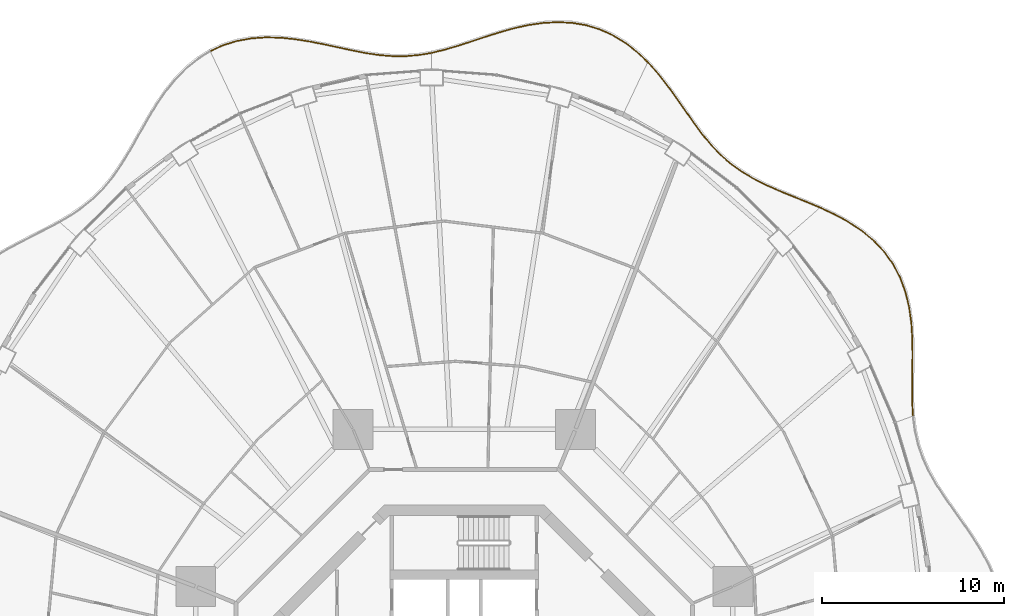
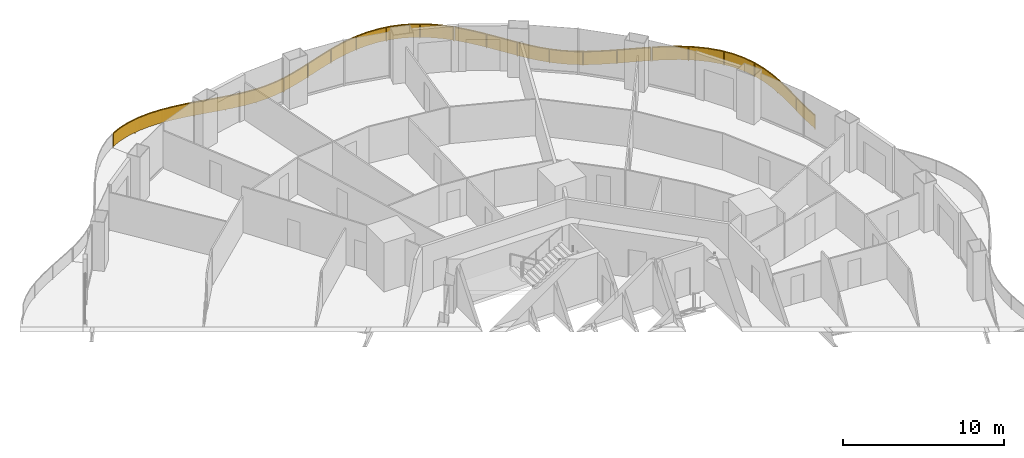
# One storey, part 22 of 22: 4 railings.
"""IFC4 building model written with IfcOpenShell, lengths in metres."""

from ifc_helpers import new_model, si_unit, direction, frame, origin, origin_2d, place, context, subcontext, project, spatial, polyline, rectangle, outline, extrude, material, type_object, element, save


model = new_model("IFC4")

# Units and contexts
model_context = context("Model", 3, precision=1e-05, world=origin(), true_north=direction((0.0, 1.0)))
body_context = subcontext(model_context, "Body", "Model", "MODEL_VIEW")
ifc_project = project(units=[si_unit("LENGTHUNIT", "METRE"), si_unit("AREAUNIT", "SQUARE_METRE"), si_unit("VOLUMEUNIT", "CUBIC_METRE"), si_unit("PLANEANGLEUNIT", "RADIAN"), si_unit("MASSUNIT", "GRAM", prefix="KILO")], contexts=[model_context])

# Site, building, storey
site_placement = place(None, origin())
site = spatial("IfcSite", under=ifc_project, at=site_placement, CompositionType="ELEMENT")
building_placement = place(site_placement, origin())
building = spatial("IfcBuilding", under=site, at=building_placement, Name="Nagisa Residences", CompositionType="ELEMENT")
storey_placement = place(building_placement, frame((0.0, 0.0, 91.800048828125)))
storey = spatial("IfcBuildingStorey", under=building, at=storey_placement, Name="L22", CompositionType="ELEMENT", Elevation=91.800048828125)

# Railings
ifc_material = material(Name="Stainless steel 316", Category="steel")
railing_type = type_object("IfcRailingType", Name="BALCONY GUARD 1100", PredefinedType="BALUSTRADE", material=ifc_material)
railing_1_placement = place(storey_placement, frame((24.6982421875, 15.5458984375, 0.0)))
element("IfcRailing", 1, at=railing_1_placement, inside=storey, type_object=railing_type, Name="guard:L22:bal01-0", PredefinedType="BALUSTRADE", context=body_context, shape_type="SweptSolid", body=[
    extrude(outline(polyline([(-0.066650390625, 0.764404296875), (-0.02490234375, -0.00146484375), (0.02490234375, 0.00146484375), (-0.016845703125, 0.765869140625), (-0.0224609375, 1.601318359375), (-0.009033203125, 2.46142578125), (0.0029296875, 3.339111328125), (-0.009765625, 4.225341796875), (-0.0615234375, 5.0947265625), (-0.184326171875, 5.961669921875), (-0.387939453125, 6.799560546875), (-0.682373046875, 7.595947265625), (-1.07373046875, 8.340087890625), (-1.55419921875, 9.01171875), (-2.133544921875, 9.62841796875), (-2.79443359375, 10.17822265625), (-3.52197265625, 10.66357421875), (-4.298828125, 11.09033203125), (-5.065673828125, 11.4482421875), (-5.086669921875, 11.40283203125), (-4.3212890625, 11.0458984375), (-3.5478515625, 10.62060546875), (-2.82421875, 10.13818359375), (-2.167724609375, 9.591796875), (-1.5927734375, 8.97998046875), (-1.1162109375, 8.313720703125), (-0.728271484375, 7.575439453125), (-0.435791015625, 6.784912109375), (-0.233642578125, 5.952392578125), (-0.111328125, 5.08984375), (-0.0595703125, 4.223388671875), (-0.04736328125, 3.339111328125), (-0.058837890625, 2.4619140625), (-0.07275390625, 1.601318359375), (-0.066650390625, 0.764404296875)])), frame((0.0, 0.0, 1.050048828125)), (0.0, 0.0, 1.0), 0.050048828125),
    extrude(outline(polyline([(-0.048828125, 0.764892578125), (-0.007080078125, -0.00048828125), (0.007080078125, 0.00048828125), (-0.03466796875, 0.765380859375), (-0.04052734375, 1.601318359375), (-0.02685546875, 2.461669921875), (-0.01513671875, 3.339111328125), (-0.027587890625, 4.224609375), (-0.079345703125, 5.093017578125), (-0.2021484375, 5.958251953125), (-0.4052734375, 6.794189453125), (-0.698974609375, 7.588623046875), (-1.089111328125, 8.33056640625), (-1.568115234375, 9.000244140625), (-2.145751953125, 9.615234375), (-2.80517578125, 10.163818359375), (-3.53125, 10.648193359375), (-4.306884765625, 11.074462890625), (-5.0732421875, 11.431884765625), (-5.0791015625, 11.419189453125), (-4.313232421875, 11.061767578125), (-3.53857421875, 10.635986328125), (-2.8134765625, 10.152587890625), (-2.155517578125, 9.60498046875), (-1.578857421875, 8.991455078125), (-1.100830078125, 8.3232421875), (-0.711669921875, 7.582763671875), (-0.41845703125, 6.790283203125), (-0.2158203125, 5.955810546875), (-0.093505859375, 5.091552734375), (-0.041748046875, 4.22412109375), (-0.029296875, 3.339111328125), (-0.041015625, 2.461669921875), (-0.0546875, 1.601318359375), (-0.048828125, 0.764892578125)])), frame((0.0, 0.0, 0.06005859375)), (0.0, 0.0, 1.0), 0.989990234375),
    extrude(rectangle(XDim=0.0400390625, YDim=0.0400390625, at=origin_2d()), origin(), (0.0, 0.0, 1.0), 1.050048828125),
    extrude(rectangle(XDim=0.0400390625, YDim=0.0400390625, at=origin_2d()), frame((-0.036865234375, 2.271484375, 0.0)), (0.0, 0.0, 1.0), 1.050048828125),
    extrude(rectangle(XDim=0.0400390625, YDim=0.0400390625, at=origin_2d()), frame((-0.0537109375, 4.543212890625, 0.0)), (0.0, 0.0, 1.0), 1.050048828125),
    extrude(rectangle(XDim=0.0400390625, YDim=0.0400390625, at=origin_2d()), frame((-0.409423828125, 6.7822265625, 0.0)), (0.0, 0.0, 1.0), 1.050048828125),
    extrude(rectangle(XDim=0.0400390625, YDim=0.0400390625, at=origin_2d()), frame((-1.431884765625, 8.7978515625, 0.0)), (0.0, 0.0, 1.0), 1.050048828125),
    extrude(rectangle(XDim=0.0400390625, YDim=0.0400390625, at=origin_2d()), frame((-3.083251953125, 10.341064453125, 0.0)), (0.0, 0.0, 1.0), 1.050048828125),
    extrude(rectangle(XDim=0.0400390625, YDim=0.0400390625, at=origin_2d()), frame((-5.076171875, 11.425537109375, 0.0)), (0.0, 0.0, 1.0), 1.050048828125),
])
railing_2_placement = place(storey_placement, frame((19.55126953125, 27.00146484375, 0.0)))
element("IfcRailing", 2, at=railing_2_placement, inside=storey, type_object=railing_type, Name="guard:L22:bal02-0", PredefinedType="BALUSTRADE", context=body_context, shape_type="SweptSolid", body=[
    extrude(outline(polyline([(-0.747802734375, 0.286376953125), (-0.009765625, -0.023193359375), (0.009765625, 0.023193359375), (-0.728759765625, 0.332763671875), (-1.502197265625, 0.64501953125), (-2.255859375, 0.95458984375), (-2.977294921875, 1.27587890625), (-3.65869140625, 1.62255859375), (-4.283203125, 1.995849609375), (-4.875, 2.42578125), (-5.4248046875, 2.908447265625), (-5.93896484375, 3.44482421875), (-6.427001953125, 4.033203125), (-6.885986328125, 4.657470703125), (-7.35595703125, 5.324951171875), (-7.83544921875, 6.01220703125), (-8.33642578125, 6.7021484375), (-8.868896484375, 7.3759765625), (-9.407958984375, 7.979736328125), (-9.445068359375, 7.946533203125), (-8.907470703125, 7.34375), (-8.37646484375, 6.671875), (-7.87646484375, 5.9833984375), (-7.39697265625, 5.296142578125), (-6.926513671875, 4.628173828125), (-6.466552734375, 4.00244140625), (-5.9765625, 3.41162109375), (-5.45947265625, 2.872314453125), (-4.90625, 2.38671875), (-4.31103515625, 1.953857421875), (-3.68310546875, 1.57861328125), (-2.998779296875, 1.23046875), (-2.275390625, 0.90869140625), (-1.521240234375, 0.5986328125), (-0.747802734375, 0.286376953125)])), frame((0.0, 0.0, 1.050048828125)), (0.0, 0.0, 1.0), 0.050048828125),
    extrude(outline(polyline([(-0.740966796875, 0.302978515625), (-0.002685546875, -0.00634765625), (0.002685546875, 0.00634765625), (-0.735595703125, 0.316162109375), (-1.509033203125, 0.62841796875), (-2.262939453125, 0.93798828125), (-2.985107421875, 1.259521484375), (-3.66748046875, 1.606689453125), (-4.293212890625, 1.980712890625), (-4.88623046875, 2.41162109375), (-5.437255859375, 2.8955078125), (-5.95263671875, 3.432861328125), (-6.441162109375, 4.022216796875), (-6.900634765625, 4.64697265625), (-7.370849609375, 5.314453125), (-7.850341796875, 6.001953125), (-8.350830078125, 6.691162109375), (-8.8828125, 7.3642578125), (-9.42138671875, 7.9677734375), (-9.431640625, 7.95849609375), (-8.8935546875, 7.35546875), (-8.362060546875, 6.682861328125), (-7.861572265625, 5.99365234375), (-7.382080078125, 5.306640625), (-6.911865234375, 4.638671875), (-6.452392578125, 4.013427734375), (-5.962890625, 3.423583984375), (-5.447021484375, 2.88525390625), (-4.89501953125, 2.40087890625), (-4.301025390625, 1.968994140625), (-3.67431640625, 1.594482421875), (-2.990966796875, 1.246826171875), (-2.268310546875, 0.92529296875), (-1.514404296875, 0.615234375), (-0.740966796875, 0.302978515625)])), frame((0.0, 0.0, 0.06005859375)), (0.0, 0.0, 1.0), 0.989990234375),
    extrude(rectangle(XDim=0.0400390625, YDim=0.0400390625, at=origin_2d()), origin(), (0.0, 0.0, 1.0), 1.050048828125),
    extrude(rectangle(XDim=0.0400390625, YDim=0.0400390625, at=origin_2d()), frame((-1.951904296875, 0.802734375, 0.0)), (0.0, 0.0, 1.0), 1.050048828125),
    extrude(rectangle(XDim=0.0400390625, YDim=0.0400390625, at=origin_2d()), frame((-3.85498046875, 1.710693359375, 0.0)), (0.0, 0.0, 1.0), 1.050048828125),
    extrude(rectangle(XDim=0.0400390625, YDim=0.0400390625, at=origin_2d()), frame((-5.530517578125, 2.982666015625, 0.0)), (0.0, 0.0, 1.0), 1.050048828125),
    extrude(rectangle(XDim=0.0400390625, YDim=0.0400390625, at=origin_2d()), frame((-6.87744140625, 4.603759765625, 0.0)), (0.0, 0.0, 1.0), 1.050048828125),
    extrude(rectangle(XDim=0.0400390625, YDim=0.0400390625, at=origin_2d()), frame((-8.09521484375, 6.327392578125, 0.0)), (0.0, 0.0, 1.0), 1.050048828125),
    extrude(rectangle(XDim=0.0400390625, YDim=0.0400390625, at=origin_2d()), frame((-9.426513671875, 7.963134765625, 0.0)), (0.0, 0.0, 1.0), 1.050048828125),
])
railing_3_placement = place(storey_placement, frame((10.071533203125, 35.020751953125, 0.0)))
element("IfcRailing", 3, at=railing_3_placement, inside=storey, type_object=railing_type, Name="guard:L22:bal03-0", PredefinedType="BALUSTRADE", context=body_context, shape_type="SweptSolid", body=[
    extrude(outline(polyline([(-0.573486328125, 0.512451171875), (-0.017333984375, -0.01806640625), (0.017333984375, 0.01806640625), (-0.540771484375, 0.550537109375), (-1.17919921875, 1.047119140625), (-1.861083984375, 1.46484375), (-2.583740234375, 1.79296875), (-3.3408203125, 2.026123046875), (-4.109375, 2.157470703125), (-4.913818359375, 2.200439453125), (-5.729248046875, 2.15673828125), (-6.546875, 2.0380859375), (-7.359130859375, 1.85888671875), (-8.142333984375, 1.6337890625), (-8.9267578125, 1.386474609375), (-9.692626953125, 1.132568359375), (-10.439453125, 0.89111328125), (-11.169189453125, 0.67822265625), (-11.84326171875, 0.516357421875), (-11.83154296875, 0.467529296875), (-11.156494140625, 0.6298828125), (-10.4248046875, 0.84326171875), (-9.677001953125, 1.085205078125), (-8.9111328125, 1.338623046875), (-8.127685546875, 1.5859375), (-7.346923828125, 1.810546875), (-6.5380859375, 1.98876953125), (-5.724365234375, 2.10693359375), (-4.913818359375, 2.150146484375), (-4.11474609375, 2.107666015625), (-3.3525390625, 1.977294921875), (-2.601318359375, 1.74609375), (-1.884521484375, 1.42041015625), (-1.20751953125, 1.006103515625), (-0.573486328125, 0.512451171875)])), frame((0.0, 0.0, 1.050048828125)), (0.0, 0.0, 1.0), 0.050048828125),
    extrude(outline(polyline([(-0.561767578125, 0.526123046875), (-0.0048828125, -0.005126953125), (0.0048828125, 0.005126953125), (-0.552490234375, 0.536865234375), (-1.189453125, 1.032470703125), (-1.86962890625, 1.44873046875), (-2.590087890625, 1.776123046875), (-3.344970703125, 2.008544921875), (-4.111328125, 2.1396484375), (-4.913818359375, 2.182373046875), (-5.7275390625, 2.138916015625), (-6.543701171875, 2.020263671875), (-7.354736328125, 1.841552734375), (-8.136962890625, 1.616455078125), (-8.921142578125, 1.369140625), (-9.68701171875, 1.115478515625), (-10.43408203125, 0.873779296875), (-11.16455078125, 0.660888671875), (-11.839111328125, 0.498779296875), (-11.835693359375, 0.485107421875), (-11.1611328125, 0.647216796875), (-10.43017578125, 0.860595703125), (-9.6826171875, 1.102294921875), (-8.916748046875, 1.35595703125), (-8.133056640625, 1.603271484375), (-7.351318359375, 1.827880859375), (-6.541259765625, 2.006591796875), (-5.72607421875, 2.124755859375), (-4.913818359375, 2.168212890625), (-4.11279296875, 2.12548828125), (-3.348388671875, 1.994873046875), (-2.594970703125, 1.762939453125), (-1.8759765625, 1.4365234375), (-1.197265625, 1.020751953125), (-0.561767578125, 0.526123046875)])), frame((0.0, 0.0, 0.06005859375)), (0.0, 0.0, 1.0), 0.989990234375),
    extrude(rectangle(XDim=0.0400390625, YDim=0.0400390625, at=origin_2d()), origin(), (0.0, 0.0, 1.0), 1.050048828125),
    extrude(rectangle(XDim=0.0400390625, YDim=0.0400390625, at=origin_2d()), frame((-1.65185546875, 1.307373046875, 0.0)), (0.0, 0.0, 1.0), 1.050048828125),
    extrude(rectangle(XDim=0.0400390625, YDim=0.0400390625, at=origin_2d()), frame((-3.617919921875, 2.048095703125, 0.0)), (0.0, 0.0, 1.0), 1.050048828125),
    extrude(rectangle(XDim=0.0400390625, YDim=0.0400390625, at=origin_2d()), frame((-5.722412109375, 2.132080078125, 0.0)), (0.0, 0.0, 1.0), 1.050048828125),
    extrude(rectangle(XDim=0.0400390625, YDim=0.0400390625, at=origin_2d()), frame((-7.79052734375, 1.708984375, 0.0)), (0.0, 0.0, 1.0), 1.050048828125),
    extrude(rectangle(XDim=0.0400390625, YDim=0.0400390625, at=origin_2d()), frame((-9.80517578125, 1.070068359375, 0.0)), (0.0, 0.0, 1.0), 1.050048828125),
    extrude(rectangle(XDim=0.0400390625, YDim=0.0400390625, at=origin_2d()), frame((-11.83740234375, 0.491943359375, 0.0)), (0.0, 0.0, 1.0), 1.050048828125),
])
railing_4_placement = place(storey_placement, frame((-1.834716796875, 35.496826171875, 0.0)))
element("IfcRailing", 4, at=railing_4_placement, inside=storey, type_object=railing_type, Name="guard:L22:bal04-0", PredefinedType="BALUSTRADE", context=body_context, shape_type="SweptSolid", body=[
    extrude(outline(polyline([(-0.66259765625, -0.13720703125), (0.004150390625, -0.024658203125), (-0.004150390625, 0.024658203125), (-0.6689453125, -0.08740234375), (-1.373779296875, -0.148193359375), (-2.082763671875, -0.149169921875), (-2.8017578125, -0.09423828125), (-3.535400390625, 0.010009765625), (-4.269775390625, 0.154296875), (-5.042236328125, 0.319580078125), (-5.834228515625, 0.4912109375), (-6.64306640625, 0.651123046875), (-7.4638671875, 0.781005859375), (-8.2724609375, 0.86767578125), (-9.095458984375, 0.88623046875), (-9.905517578125, 0.828125), (-10.69384765625, 0.683837890625), (-11.451171875, 0.4482421875), (-12.124755859375, 0.14013671875), (-12.103759765625, 0.0947265625), (-11.43310546875, 0.4013671875), (-10.681640625, 0.635009765625), (-9.899169921875, 0.7783203125), (-9.093994140625, 0.8359375), (-8.27587890625, 0.81787109375), (-7.47021484375, 0.731201171875), (-6.65185546875, 0.601806640625), (-5.844482421875, 0.4423828125), (-5.052978515625, 0.270751953125), (-4.280029296875, 0.10546875), (-3.543701171875, -0.039306640625), (-2.80712890625, -0.14404296875), (-2.084716796875, -0.199462890625), (-1.371826171875, -0.197998046875), (-0.66259765625, -0.13720703125)])), frame((0.0, 0.0, 1.050048828125)), (0.0, 0.0, 1.0), 0.050048828125),
    extrude(outline(polyline([(-0.664794921875, -0.119140625), (0.001220703125, -0.0068359375), (-0.001220703125, 0.0068359375), (-0.666748046875, -0.10546875), (-1.373046875, -0.166015625), (-2.08349609375, -0.167236328125), (-2.8037109375, -0.112060546875), (-3.538330078125, -0.0078125), (-4.2734375, 0.13671875), (-5.046142578125, 0.302001953125), (-5.837890625, 0.4736328125), (-6.646240234375, 0.63330078125), (-7.466064453125, 0.762939453125), (-8.273681640625, 0.849853515625), (-9.094970703125, 0.8681640625), (-9.9033203125, 0.81005859375), (-10.689453125, 0.666259765625), (-11.444580078125, 0.431396484375), (-12.1171875, 0.123779296875), (-12.111328125, 0.111083984375), (-11.439697265625, 0.418212890625), (-10.68603515625, 0.652587890625), (-9.9013671875, 0.79638671875), (-9.094482421875, 0.85400390625), (-8.274658203125, 0.835693359375), (-7.468017578125, 0.749267578125), (-6.648681640625, 0.61962890625), (-5.8408203125, 0.4599609375), (-5.049072265625, 0.288330078125), (-4.2763671875, 0.123046875), (-3.540771484375, -0.021484375), (-2.80517578125, -0.126220703125), (-2.083984375, -0.181396484375), (-1.37255859375, -0.18017578125), (-0.664794921875, -0.119140625)])), frame((0.0, 0.0, 0.06005859375)), (0.0, 0.0, 1.0), 0.989990234375),
    extrude(rectangle(XDim=0.0400390625, YDim=0.0400390625, at=origin_2d()), origin(), (0.0, 0.0, 1.0), 1.050048828125),
    extrude(rectangle(XDim=0.0400390625, YDim=0.0400390625, at=origin_2d()), frame((-2.043701171875, -0.17431640625, 0.0)), (0.0, 0.0, 1.0), 1.050048828125),
    extrude(rectangle(XDim=0.0400390625, YDim=0.0400390625, at=origin_2d()), frame((-4.07958984375, 0.091552734375, 0.0)), (0.0, 0.0, 1.0), 1.050048828125),
    extrude(rectangle(XDim=0.0400390625, YDim=0.0400390625, at=origin_2d()), frame((-6.0908203125, 0.516357421875, 0.0)), (0.0, 0.0, 1.0), 1.050048828125),
    extrude(rectangle(XDim=0.0400390625, YDim=0.0400390625, at=origin_2d()), frame((-8.12158203125, 0.826416015625, 0.0)), (0.0, 0.0, 1.0), 1.050048828125),
    extrude(rectangle(XDim=0.0400390625, YDim=0.0400390625, at=origin_2d()), frame((-10.169677734375, 0.754150390625, 0.0)), (0.0, 0.0, 1.0), 1.050048828125),
    extrude(rectangle(XDim=0.0400390625, YDim=0.0400390625, at=origin_2d()), frame((-12.1142578125, 0.117431640625, 0.0)), (0.0, 0.0, 1.0), 1.050048828125),
])

save(model, "model.ifc")
